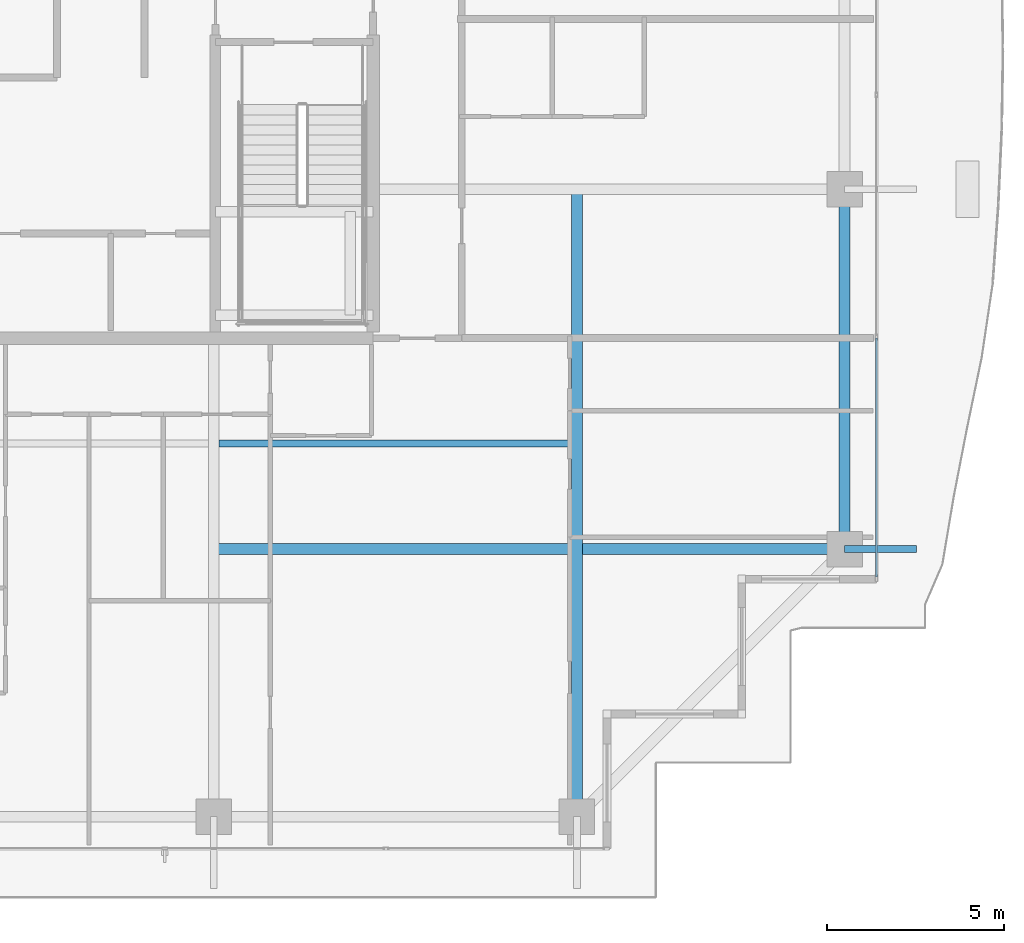
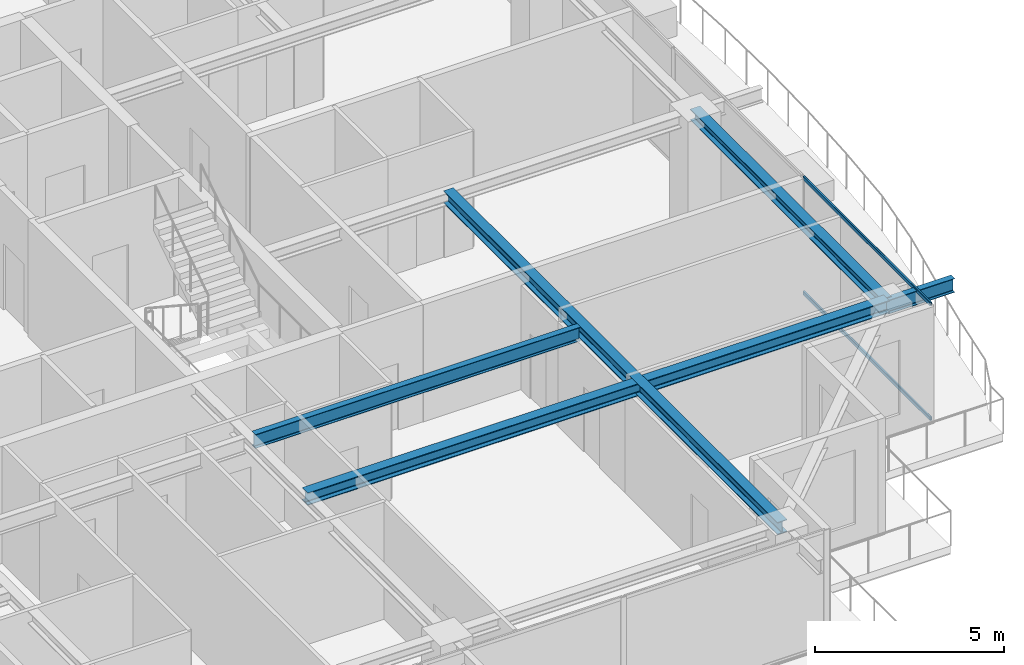
# One storey, part 14 of 40: 5 beams, 2 members, 1 element without a shape of its own.
"""IFC4 building model written with IfcOpenShell, lengths in metres."""

from ifc_helpers import new_model, si_unit, direction, frame, origin, origin_2d, place, context, subcontext, project, spatial, hollow_rectangle, i_section, extrude, source, transform, mapped, material, layer, layer_set, material_profile, profile_set, type_object, element, aggregate, save


model = new_model("IFC4")

# Units and contexts
model_context = context("Model", 3, precision=1e-05, world=origin(), true_north=direction((0.0, 1.0)))
body_context = subcontext(model_context, "Body", "Model", "MODEL_VIEW")
ifc_project = project(units=[si_unit("LENGTHUNIT", "METRE"), si_unit("AREAUNIT", "SQUARE_METRE"), si_unit("VOLUMEUNIT", "CUBIC_METRE"), si_unit("PLANEANGLEUNIT", "RADIAN"), si_unit("MASSUNIT", "GRAM", prefix="KILO")], contexts=[model_context])

# Site, building, storey
site_placement = place(None, origin())
site = spatial("IfcSite", under=ifc_project, at=site_placement, CompositionType="ELEMENT")
building_placement = place(site_placement, origin())
building = spatial("IfcBuilding", under=site, at=building_placement, Name="Serunith Strait Residences", CompositionType="ELEMENT")
storey_placement = place(building_placement, frame((0.0, 0.0, 313.699951171875)))
storey = spatial("IfcBuildingStorey", under=building, at=storey_placement, Name="L78", CompositionType="ELEMENT", Elevation=313.699951171875)

# Beams
ifc_material_1 = material(Name="Steel S355J2", Category="steel")
ifc_material_profile_1 = material_profile(ifc_material_1, i_section(OverallWidth=0.18994140625, OverallDepth=0.449951171875, WebThickness=0.009521484375, FlangeThickness=0.0146484375, FilletRadius=0.02099609375, at=origin_2d()), Name="IPE 450")
ifc_profile_set_1 = profile_set([ifc_material_profile_1], Name="Steel S355J2")
beam_type_1 = type_object("IfcBeamType", Name="BM-IPE450", PredefinedType="JOIST", material=ifc_profile_set_1)
shared_shape_1 = source(origin(), body_context, "Body", "SweptSolid", [
    extrude(i_section(OverallWidth=0.18994140625, OverallDepth=0.449951171875, WebThickness=0.009521484375, FlangeThickness=0.0146484375, FilletRadius=0.02099609375, at=origin_2d()), origin(), (0.0, 0.0, 1.0), 9.949951171875),
])
beam_1_placement = place(storey_placement, frame((37.050048828125, 13.824951171875, 3.56201171875), z_axis=(1.0, 0.0, 0.0), x_axis=(0.0, 1.0, 0.0)))
element("IfcBeam", 1, at=beam_1_placement, inside=storey, type_object=beam_type_1, Name="L78 Composite Floor Joist 03", PredefinedType="JOIST", context=body_context, shape_type="MappedRepresentation", body=[
    mapped(shared_shape_1, transform((0.0, 0.0, 0.0), scale=1.0)),
])
ifc_material_profile_2 = material_profile(ifc_material_1, i_section(OverallWidth=0.300048828125, OverallDepth=0.39990234375, WebThickness=0.013427734375, FlangeThickness=0.02392578125, FilletRadius=0.027099609375, at=origin_2d()), Name="HEB 400")
ifc_profile_set_2 = profile_set([ifc_material_profile_2], Name="Steel S355J2")
beam_type_2 = type_object("IfcBeamType", Name="BM-HEB400", PredefinedType="BEAM", material=ifc_profile_set_2)
shared_shape_2 = source(origin(), body_context, "Body", "SweptSolid", [
    extrude(i_section(OverallWidth=0.300048828125, OverallDepth=0.39990234375, WebThickness=0.013427734375, FlangeThickness=0.02392578125, FilletRadius=0.027099609375, at=origin_2d()), origin(), (0.0, 0.0, 1.0), 17.699951171875),
])
beam_2_placement = place(storey_placement, frame((47.14990234375, 21.0, 3.587158203125), z_axis=(0.0, -1.0, 0.0), x_axis=(1.0, 0.0, 0.0)))
element("IfcBeam", 2, at=beam_2_placement, inside=storey, type_object=beam_type_2, Name="L78 Orthogonal Corner Girder TC-S4", PredefinedType="BEAM", context=body_context, shape_type="MappedRepresentation", body=[
    mapped(shared_shape_2, transform((0.0, 0.0, 0.0), scale=1.0)),
])
shared_shape_3 = source(origin(), body_context, "Body", "SweptSolid", [
    extrude(i_section(OverallWidth=0.300048828125, OverallDepth=0.39990234375, WebThickness=0.013427734375, FlangeThickness=0.02392578125, FilletRadius=0.027099609375, at=origin_2d()), origin(), (0.0, 0.0, 1.0), 17.800048828125),
])
beam_3_placement = place(storey_placement, frame((36.89990234375, 10.85009765625, 3.587158203125), z_axis=(1.0, 0.0, 0.0), x_axis=(0.0, 1.0, 0.0)))
element("IfcBeam", 3, at=beam_3_placement, inside=storey, type_object=beam_type_2, Name="L78 Orthogonal Corner Girder TC-E1", PredefinedType="BEAM", context=body_context, shape_type="MappedRepresentation", body=[
    mapped(shared_shape_3, transform((0.0, 0.0, 0.0), scale=1.0)),
])
ifc_material_profile_3 = material_profile(ifc_material_1, i_section(OverallWidth=0.300048828125, OverallDepth=0.360107421875, WebThickness=0.012451171875, FlangeThickness=0.0224609375, FilletRadius=0.027099609375, at=origin_2d()), Name="HEB 360")
ifc_profile_set_3 = profile_set([ifc_material_profile_3], Name="Steel S355J2")
beam_type_3 = type_object("IfcBeamType", Name="BM-HEB360", PredefinedType="BEAM", material=ifc_profile_set_3)
shared_shape_4 = source(origin(), body_context, "Body", "SweptSolid", [
    extrude(i_section(OverallWidth=0.300048828125, OverallDepth=0.360107421875, WebThickness=0.012451171875, FlangeThickness=0.0224609375, FilletRadius=0.027099609375, at=origin_2d()), origin(), (0.0, 0.0, 1.0), 10.14990234375),
])
beam_4_placement = place(storey_placement, frame((54.699951171875, 10.85009765625, 3.60693359375), z_axis=(0.0, 1.0, 0.0), x_axis=(-1.0, 0.0, 0.0)))
element("IfcBeam", 4, at=beam_4_placement, inside=storey, type_object=beam_type_3, Name="L78 Perimeter Ring Beam 05", PredefinedType="BEAM", context=body_context, shape_type="MappedRepresentation", body=[
    mapped(shared_shape_4, transform((0.0, 0.0, 0.0), scale=1.0)),
])
shared_shape_5 = source(origin(), body_context, "Body", "SweptSolid", [
    extrude(i_section(OverallWidth=0.18994140625, OverallDepth=0.449951171875, WebThickness=0.009521484375, FlangeThickness=0.0146484375, FilletRadius=0.02099609375, at=origin_2d()), origin(), (0.0, 0.0, 1.0), 2.030029296875),
])
beam_5_placement = place(storey_placement, frame((54.699951171875, 10.85009765625, 3.531982421875), z_axis=(1.0, 0.0, 0.0), x_axis=(0.0, 1.0, 0.0)))
element("IfcBeam", 5, at=beam_5_placement, inside=storey, type_object=beam_type_1, Name="L79 Cantilevered Balcony Rib TC-E1", PredefinedType="JOIST", context=body_context, shape_type="MappedRepresentation", body=[
    mapped(shared_shape_5, transform((0.0, 0.0, 0.0), scale=1.0)),
])

# Curtain wall, members
ifc_material_2 = material(Name="Brushed Stainless-Silver Aluminium", Category="aluminium")
ifc_layer = layer(ifc_material_2, 0.199951171875, Name="Brushed Stainless-Silver Aluminium")
ifc_layer_set = layer_set([ifc_layer], Name="Brushed Stainless-Silver Aluminium")
curtain_wall_type = type_object("IfcCurtainWallType", Name="CW-SYS5", PredefinedType="NOTDEFINED", material=ifc_layer_set)
curtain_wall_placement = place(storey_placement, origin())
curtain_wall = element("IfcCurtainWall", 6, at=curtain_wall_placement, inside=storey, type_object=curtain_wall_type, Name="L78 E Unitised Fritted Curtain Wall", PredefinedType="NOTDEFINED")
ifc_material_profile_4 = material_profile(ifc_material_2, hollow_rectangle(XDim=0.06005859375, YDim=0.1201171875, WallThickness=0.00341796875, InnerFilletRadius=0.00537109375, OuterFilletRadius=0.0087890625, at=origin_2d()), Name="ALU 120x60x3.5")
ifc_profile_set_4 = profile_set([ifc_material_profile_4], Name="Brushed Stainless-Silver Aluminium")
member_type = type_object("IfcMemberType", Name="CW-SYS5-TRAN", PredefinedType="USERDEFINED", material=ifc_profile_set_4)
shared_shape_6 = source(origin(), body_context, "Body", "SweptSolid", [
    extrude(hollow_rectangle(XDim=0.06005859375, YDim=0.1201171875, WallThickness=0.00341796875, InnerFilletRadius=0.00537109375, OuterFilletRadius=0.0087890625, at=origin_2d()), origin(), (0.0, 0.0, 1.0), 6.73583984375),
])
member_1_placement = place(storey_placement, frame((55.60009765625, 10.06494140625, 0.030029296875), z_axis=(0.0, 1.0, 0.0), x_axis=(-1.0, 0.0, 0.0)))
member_1 = element("IfcMember", 7, at=member_1_placement, type_object=member_type, Name="CW-5 transom 1.1", ObjectType="TRANSOM", PredefinedType="USERDEFINED", context=body_context, shape_type="MappedRepresentation", body=[
    mapped(shared_shape_6, transform((0.0, 0.0, 0.0), scale=1.0)),
])
member_2_placement = place(storey_placement, frame((55.60009765625, 10.06494140625, 3.7451171875), z_axis=(0.0, 1.0, 0.0), x_axis=(-1.0, 0.0, 0.0)))
member_2 = element("IfcMember", 8, at=member_2_placement, type_object=member_type, Name="CW-5 transom 1.2", ObjectType="TRANSOM", PredefinedType="USERDEFINED", context=body_context, shape_type="MappedRepresentation", body=[
    mapped(shared_shape_6, transform((0.0, 0.0, 0.0), scale=1.0)),
])
aggregate(curtain_wall, [member_1, member_2])

save(model, "model.ifc")
